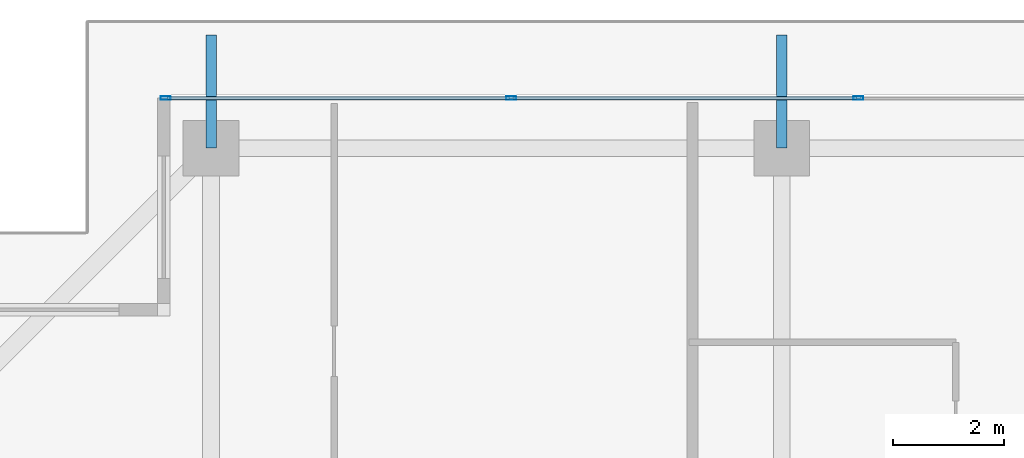
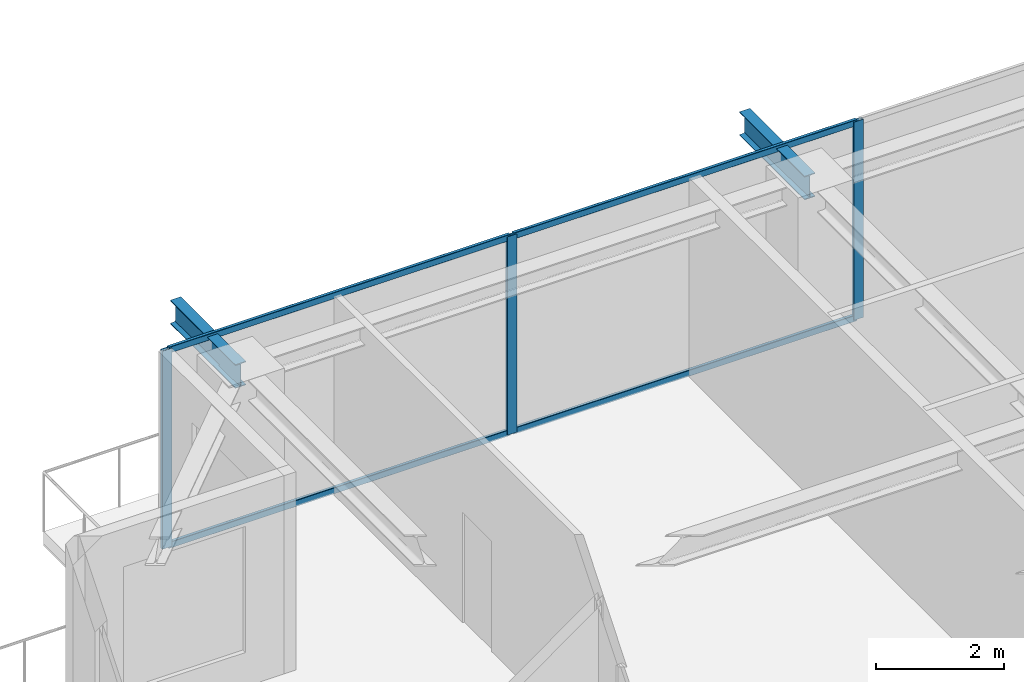
# One storey, part 20 of 37: 7 members, 2 beams, 1 element without a shape of its own.
"""IFC4 building model written with IfcOpenShell, lengths in metres."""

from ifc_helpers import new_model, si_unit, direction, frame, origin, origin_2d, place, context, subcontext, project, spatial, hollow_rectangle, i_section, extrude, source, transform, mapped, material, layer, layer_set, material_profile, profile_set, type_object, element, aggregate, save


model = new_model("IFC4")

# Units and contexts
model_context = context("Model", 3, precision=1e-05, world=origin(), true_north=direction((0.0, 1.0)))
body_context = subcontext(model_context, "Body", "Model", "MODEL_VIEW")
ifc_project = project(units=[si_unit("LENGTHUNIT", "METRE"), si_unit("AREAUNIT", "SQUARE_METRE"), si_unit("VOLUMEUNIT", "CUBIC_METRE"), si_unit("PLANEANGLEUNIT", "RADIAN"), si_unit("MASSUNIT", "GRAM", prefix="KILO")], contexts=[model_context])

# Site, building, storey
site_placement = place(None, origin())
site = spatial("IfcSite", under=ifc_project, at=site_placement, CompositionType="ELEMENT")
building_placement = place(site_placement, origin())
building = spatial("IfcBuilding", under=site, at=building_placement, Name="Serunith Strait Residences", CompositionType="ELEMENT")
storey_placement = place(building_placement, frame((0.0, 0.0, 305.60009765625)))
storey = spatial("IfcBuildingStorey", under=building, at=storey_placement, Name="L76", CompositionType="ELEMENT", Elevation=305.60009765625)

# Beams
ifc_material_1 = material(Name="Steel S355J2", Category="steel")
ifc_material_profile_1 = material_profile(ifc_material_1, i_section(OverallWidth=0.18994140625, OverallDepth=0.449951171875, WebThickness=0.009521484375, FlangeThickness=0.0146484375, FilletRadius=0.02099609375, at=origin_2d()), Name="IPE 450")
ifc_profile_set_1 = profile_set([ifc_material_profile_1], Name="Steel S355J2")
beam_type = type_object("IfcBeamType", Name="BM-IPE450", PredefinedType="JOIST", material=ifc_profile_set_1)
shared_shape_1 = source(origin(), body_context, "Body", "SweptSolid", [
    extrude(i_section(OverallWidth=0.18994140625, OverallDepth=0.449951171875, WebThickness=0.009521484375, FlangeThickness=0.0146484375, FilletRadius=0.02099609375, at=origin_2d()), origin(), (0.0, 0.0, 1.0), 2.02978515625),
])
for number, where, z_axis, x_axis, name in (
    (1, (17.64990234375, 47.10009765625, 3.531982421875), (0.0, 1.0, 0.0), (-1.0, 0.0, 0.0), "L77 Cantilevered Balcony Rib TC-N1"),
    (2, (27.89990234375, 47.10009765625, 3.531982421875), (0.0, 1.0, 0.0), (-1.0, 0.0, 0.0), "L77 Cantilevered Balcony Rib TC-N2"),
):
    element("IfcBeam", number, at=place(storey_placement, frame(where, z_axis=z_axis, x_axis=x_axis)), inside=storey, type_object=beam_type, Name=name, PredefinedType="JOIST", context=body_context, shape_type="MappedRepresentation", body=[
        mapped(shared_shape_1, transform((0.0, 0.0, 0.0), scale=1.0)),
    ])

# Curtain wall, members
ifc_material_2 = material(Name="Brushed Stainless-Silver Aluminium", Category="aluminium")
ifc_layer = layer(ifc_material_2, 0.199951171875, Name="Brushed Stainless-Silver Aluminium")
ifc_layer_set = layer_set([ifc_layer], Name="Brushed Stainless-Silver Aluminium")
curtain_wall_type = type_object("IfcCurtainWallType", Name="CW-SYS5", PredefinedType="NOTDEFINED", material=ifc_layer_set)
curtain_wall_placement = place(storey_placement, origin())
curtain_wall = element("IfcCurtainWall", 3, at=curtain_wall_placement, inside=storey, type_object=curtain_wall_type, Name="L76 N Unitised Fritted Curtain Wall", PredefinedType="NOTDEFINED")
ifc_material_profile_2 = material_profile(ifc_material_2, hollow_rectangle(XDim=0.06005859375, YDim=0.1201171875, WallThickness=0.00341796875, InnerFilletRadius=0.00537109375, OuterFilletRadius=0.0087890625, at=origin_2d()), Name="ALU 120x60x3.5")
ifc_profile_set_2 = profile_set([ifc_material_profile_2], Name="Brushed Stainless-Silver Aluminium")
member_type_1 = type_object("IfcMemberType", Name="CW-SYS5-TRAN", PredefinedType="USERDEFINED", material=ifc_profile_set_2)
shared_shape_2 = source(origin(), body_context, "Body", "SweptSolid", [
    extrude(hollow_rectangle(XDim=0.06005859375, YDim=0.1201171875, WallThickness=0.00341796875, InnerFilletRadius=0.00537109375, OuterFilletRadius=0.0087890625, at=origin_2d()), origin(), (0.0, 0.0, 1.0), 6.142578125),
])
member_1_placement = place(storey_placement, frame((23.007568359375, 48.0, 0.02978515625), z_axis=(-1.0, 0.0, 0.0), x_axis=(0.0, -1.0, 0.0)))
member_1 = element("IfcMember", 4, at=member_1_placement, type_object=member_type_1, Name="CW-5 transom 5.1", ObjectType="TRANSOM", PredefinedType="USERDEFINED", context=body_context, shape_type="MappedRepresentation", body=[
    mapped(shared_shape_2, transform((0.0, 0.0, 0.0), scale=1.0)),
])
member_2_placement = place(storey_placement, frame((23.007568359375, 48.0, 3.744873046875), z_axis=(-1.0, 0.0, 0.0), x_axis=(0.0, -1.0, 0.0)))
member_2 = element("IfcMember", 5, at=member_2_placement, type_object=member_type_1, Name="CW-5 transom 5.2", ObjectType="TRANSOM", PredefinedType="USERDEFINED", context=body_context, shape_type="MappedRepresentation", body=[
    mapped(shared_shape_2, transform((0.0, 0.0, 0.0), scale=1.0)),
])
shared_shape_3 = source(origin(), body_context, "Body", "SweptSolid", [
    extrude(hollow_rectangle(XDim=0.06005859375, YDim=0.1201171875, WallThickness=0.00341796875, InnerFilletRadius=0.00537109375, OuterFilletRadius=0.0087890625, at=origin_2d()), origin(), (0.0, 0.0, 1.0), 6.175048828125),
])
member_3_placement = place(storey_placement, frame((29.24755859375, 48.0, 0.02978515625), z_axis=(-1.0, 0.0, 0.0), x_axis=(0.0, -1.0, 0.0)))
member_3 = element("IfcMember", 6, at=member_3_placement, type_object=member_type_1, Name="CW-5 transom 4.1", ObjectType="TRANSOM", PredefinedType="USERDEFINED", context=body_context, shape_type="MappedRepresentation", body=[
    mapped(shared_shape_3, transform((0.0, 0.0, 0.0), scale=1.0)),
])
member_4_placement = place(storey_placement, frame((29.24755859375, 48.0, 3.744873046875), z_axis=(-1.0, 0.0, 0.0), x_axis=(0.0, -1.0, 0.0)))
member_4 = element("IfcMember", 7, at=member_4_placement, type_object=member_type_1, Name="CW-5 transom 4.2", ObjectType="TRANSOM", PredefinedType="USERDEFINED", context=body_context, shape_type="MappedRepresentation", body=[
    mapped(shared_shape_3, transform((0.0, 0.0, 0.0), scale=1.0)),
])
ifc_material_profile_3 = material_profile(ifc_material_2, hollow_rectangle(XDim=0.06494140625, YDim=0.179931640625, WallThickness=0.00341796875, InnerFilletRadius=0.00537109375, OuterFilletRadius=0.0087890625, at=origin_2d()), Name="ALU 180x65x3.5")
ifc_profile_set_3 = profile_set([ifc_material_profile_3], Name="Brushed Stainless-Silver Aluminium")
member_type_2 = type_object("IfcMemberType", Name="CW-SYS5-MULL", PredefinedType="MULLION", material=ifc_profile_set_3)
shared_shape_4 = source(origin(), body_context, "Body", "SweptSolid", [
    extrude(hollow_rectangle(XDim=0.06494140625, YDim=0.179931640625, WallThickness=0.00341796875, InnerFilletRadius=0.00537109375, OuterFilletRadius=0.0087890625, at=origin_2d()), origin(), (0.0, 0.0, 1.0), 3.77490234375),
])
member_5_placement = place(storey_placement, frame((29.280029296875, 48.0, 0.0), z_axis=(0.0, 0.0, 1.0), x_axis=(0.0, -1.0, 0.0)))
member_5 = element("IfcMember", 8, at=member_5_placement, type_object=member_type_2, Name="CW-5 mullion 4", PredefinedType="MULLION", context=body_context, shape_type="MappedRepresentation", body=[
    mapped(shared_shape_4, transform((0.0, 0.0, 0.0), scale=1.0)),
])
member_6_placement = place(storey_placement, frame((23.0400390625, 48.0, 0.0), z_axis=(0.0, 0.0, 1.0), x_axis=(0.0, -1.0, 0.0)))
member_6 = element("IfcMember", 9, at=member_6_placement, type_object=member_type_2, Name="CW-5 mullion 5", PredefinedType="MULLION", context=body_context, shape_type="MappedRepresentation", body=[
    mapped(shared_shape_4, transform((0.0, 0.0, 0.0), scale=1.0)),
])
member_7_placement = place(storey_placement, frame((16.83251953125, 48.0, 0.0), z_axis=(0.0, 0.0, 1.0), x_axis=(0.0, -1.0, 0.0)))
member_7 = element("IfcMember", 10, at=member_7_placement, type_object=member_type_2, Name="CW-5 mullion 6", PredefinedType="MULLION", context=body_context, shape_type="MappedRepresentation", body=[
    mapped(shared_shape_4, transform((0.0, 0.0, 0.0), scale=1.0)),
])
aggregate(curtain_wall, [member_5, member_6, member_7, member_3, member_4, member_1, member_2])

save(model, "model.ifc")
